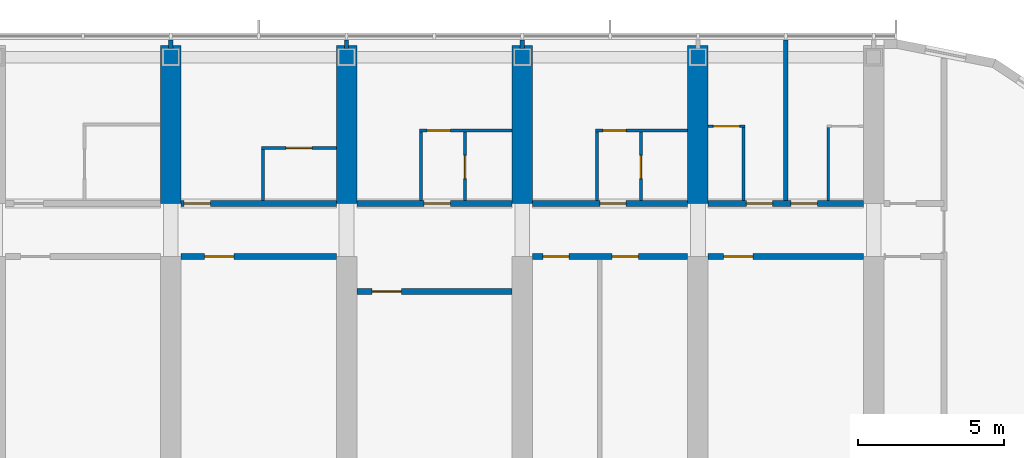
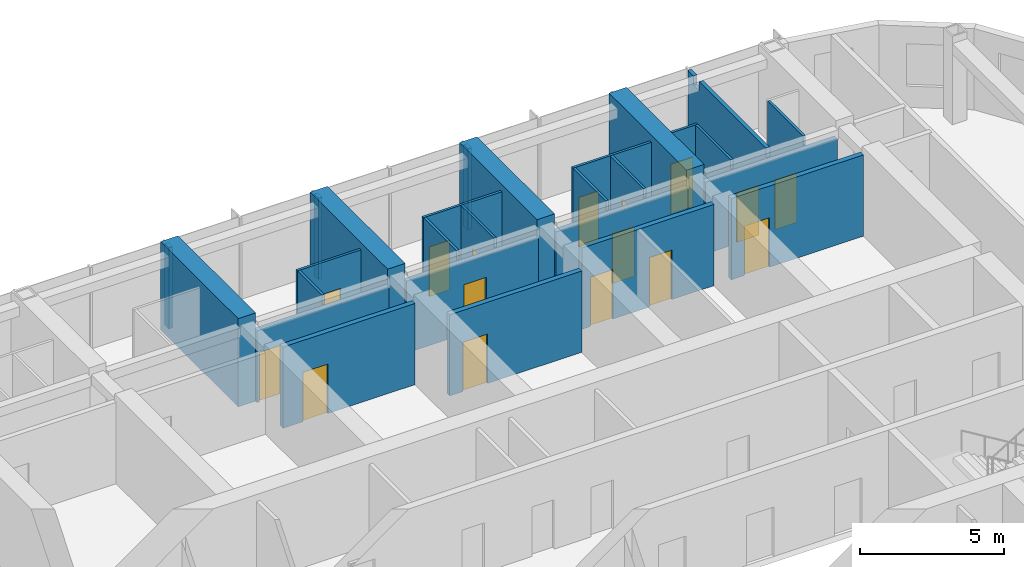
# One storey, part 17 of 23: 27 walls, 16 doors, 16 openings.
"""IFC4 building model written with IfcOpenShell, lengths in metres."""

from ifc_helpers import new_model, si_unit, direction, frame, frame_2d, origin, place, context, subcontext, project, spatial, polyline, rectangle, outline, extrude, material, layer, layer_set, type_object, element, fill, save


model = new_model("IFC4")

# Units and contexts
model_context = context("Model", 3, precision=1e-05, world=origin(), true_north=direction((0.0, 1.0)))
body_context = subcontext(model_context, "Body", "Model", "MODEL_VIEW")
ifc_project = project(units=[si_unit("LENGTHUNIT", "METRE"), si_unit("AREAUNIT", "SQUARE_METRE"), si_unit("VOLUMEUNIT", "CUBIC_METRE"), si_unit("PLANEANGLEUNIT", "RADIAN"), si_unit("MASSUNIT", "GRAM", prefix="KILO")], contexts=[model_context])

# Site, building, storey
site_placement = place(None, origin())
site = spatial("IfcSite", under=ifc_project, at=site_placement, CompositionType="ELEMENT")
building_placement = place(site_placement, origin())
building = spatial("IfcBuilding", under=site, at=building_placement, Name="Orbita Commons", CompositionType="ELEMENT")
storey_placement = place(building_placement, frame((0.0, 0.0, 254.050048828125)))
storey = spatial("IfcBuildingStorey", under=building, at=storey_placement, Name="L63", CompositionType="ELEMENT", Elevation=254.050048828125)

# Wall, opening, door
ifc_material_1 = material(Name="Concrete blockwork", Category="masonry")
ifc_layer_1 = layer(ifc_material_1, 0.199951171875)
ifc_layer_set_1 = layer_set([ifc_layer_1], Name="Concrete blockwork")
wall_type_1 = type_object("IfcWallType", Name="Corridor wall 200 blockwork", PredefinedType="SOLIDWALL", material=ifc_layer_set_1)
wall_1_placement = place(storey_placement, frame((42.35009765625, 47.39990234375, 0.0), z_axis=(0.0, 0.0, 1.0), x_axis=(1.0, 0.0, 0.0)))
wall_1 = element("IfcWall", 1, at=wall_1_placement, inside=storey, type_object=wall_type_1, Name="Corridor wall 200 blockwork L63", PredefinedType="SOLIDWALL", context=body_context, shape_type="SweptSolid", body=[
    extrude(outline(polyline([(0.0, 0.0), (5.2998046875, 0.0), (5.300048828125, 3.050048828125), (0.0, 3.050048828125), (0.0, 0.0)])), frame((0.0, 0.10009765625, 0.0), z_axis=(0.0, -1.0, 0.0), x_axis=(1.0, 0.0, 0.0)), (0.0, 0.0, 1.0), 0.199951171875),
])
opening_1_placement = place(wall_1_placement, frame((0.10009765625, 0.0, 0.0)))
opening_1 = element("IfcOpeningElement", 2, at=opening_1_placement, cuts=wall_1, Name="Opening D11", PredefinedType="OPENING", context=body_context, shape_type="SweptSolid", body=[
    extrude(rectangle(XDim=0.89990234375, YDim=2.10009765625, at=frame_2d((0.449951171875, 1.050048828125))), frame((0.0, 0.10986328125, 0.0), z_axis=(0.0, -1.0, 0.0), x_axis=(1.0, 0.0, 0.0)), (0.0, 0.0, 1.0), 0.219970703125),
])
ifc_material_2 = material(Name="Steel-faced fire door leaf", Category="steel")
door_type_1 = type_object("IfcDoorType", Name="Corridor door 20 min 900x2100", OperationType="SINGLE_SWING_LEFT", PredefinedType="DOOR", material=ifc_material_2)
door_1_placement = place(opening_1_placement, origin())
door_1 = element("IfcDoor", 3, at=door_1_placement, inside=storey, type_object=door_type_1, Name="Studio apartment with kitchenette L63-N08 door", OperationType="SINGLE_SWING_LEFT", OverallHeight=2.10009765625, OverallWidth=0.89990234375, PredefinedType="DOOR", context=body_context, shape_type="SweptSolid", body=[
    extrude(rectangle(XDim=0.89990234375, YDim=2.10009765625, at=frame_2d((0.449951171875, 1.050048828125))), frame((0.0, 0.02490234375, 0.0), z_axis=(0.0, -1.0, 0.0), x_axis=(1.0, 0.0, 0.0)), (0.0, 0.0, 1.0), 0.050048828125),
])
fill(opening_1, door_1)

wall_2_placement = place(storey_placement, frame((48.35009765625, 47.39990234375, 0.0), z_axis=(0.0, 0.0, 1.0), x_axis=(1.0, 0.0, 0.0)))
wall_2 = element("IfcWall", 4, at=wall_2_placement, inside=storey, type_object=wall_type_1, Name="Corridor wall 200 blockwork L63", PredefinedType="SOLIDWALL", context=body_context, shape_type="SweptSolid", body=[
    extrude(outline(polyline([(0.0, 0.0), (5.2998046875, 0.0), (5.300048828125, 3.050048828125), (0.0, 3.050048828125), (0.0, 0.0)])), frame((0.0, 0.10009765625, 0.0), z_axis=(0.0, -1.0, 0.0), x_axis=(1.0, 0.0, 0.0)), (0.0, 0.0, 1.0), 0.199951171875),
])
opening_2_placement = place(wall_2_placement, frame((2.300048828125, 0.0, 0.0)))
opening_2 = element("IfcOpeningElement", 5, at=opening_2_placement, cuts=wall_2, Name="Opening D11", PredefinedType="OPENING", context=body_context, shape_type="SweptSolid", body=[
    extrude(rectangle(XDim=0.89990234375, YDim=2.10009765625, at=frame_2d((0.449951171875, 1.050048828125))), frame((0.0, 0.10986328125, 0.0), z_axis=(0.0, -1.0, 0.0), x_axis=(1.0, 0.0, 0.0)), (0.0, 0.0, 1.0), 0.219970703125),
])
door_2_placement = place(opening_2_placement, origin())
door_2 = element("IfcDoor", 6, at=door_2_placement, inside=storey, type_object=door_type_1, Name="Studio flat L63-N10 entrance door", OperationType="SINGLE_SWING_LEFT", OverallHeight=2.10009765625, OverallWidth=0.89990234375, PredefinedType="DOOR", context=body_context, shape_type="SweptSolid", body=[
    extrude(rectangle(XDim=0.89990234375, YDim=2.10009765625, at=frame_2d((0.449951171875, 1.050048828125))), frame((0.0, 0.02490234375, 0.0), z_axis=(0.0, -1.0, 0.0), x_axis=(1.0, 0.0, 0.0)), (0.0, 0.0, 1.0), 0.050048828125),
])
fill(opening_2, door_2)

wall_3_placement = place(storey_placement, frame((54.35009765625, 47.39990234375, 0.0), z_axis=(0.0, 0.0, 1.0), x_axis=(1.0, 0.0, 0.0)))
wall_3 = element("IfcWall", 7, at=wall_3_placement, inside=storey, type_object=wall_type_1, Name="Corridor wall 200 blockwork L63", PredefinedType="SOLIDWALL", context=body_context, shape_type="SweptSolid", body=[
    extrude(outline(polyline([(0.0, 0.0), (5.2998046875, 0.0), (5.300048828125, 3.050048828125), (0.0, 3.050048828125), (0.0, 0.0)])), frame((0.0, 0.10009765625, 0.0), z_axis=(0.0, -1.0, 0.0), x_axis=(1.0, 0.0, 0.0)), (0.0, 0.0, 1.0), 0.199951171875),
])
opening_3_placement = place(wall_3_placement, frame((2.300048828125, 0.0, 0.0)))
opening_3 = element("IfcOpeningElement", 8, at=opening_3_placement, cuts=wall_3, Name="Opening D11", PredefinedType="OPENING", context=body_context, shape_type="SweptSolid", body=[
    extrude(rectangle(XDim=0.89990234375, YDim=2.10009765625, at=frame_2d((0.449951171875, 1.050048828125))), frame((0.0, 0.10986328125, 0.0), z_axis=(0.0, -1.0, 0.0), x_axis=(1.0, 0.0, 0.0)), (0.0, 0.0, 1.0), 0.219970703125),
])
door_3_placement = place(opening_3_placement, origin())
door_3 = element("IfcDoor", 9, at=door_3_placement, inside=storey, type_object=door_type_1, Name="Studio flat L63-N12 entrance door", OperationType="SINGLE_SWING_LEFT", OverallHeight=2.10009765625, OverallWidth=0.89990234375, PredefinedType="DOOR", context=body_context, shape_type="SweptSolid", body=[
    extrude(rectangle(XDim=0.89990234375, YDim=2.10009765625, at=frame_2d((0.449951171875, 1.050048828125))), frame((0.0, 0.02490234375, 0.0), z_axis=(0.0, -1.0, 0.0), x_axis=(1.0, 0.0, 0.0)), (0.0, 0.0, 1.0), 0.050048828125),
])
fill(opening_3, door_3)

# Wall, openings, doors
wall_4_placement = place(storey_placement, frame((60.35009765625, 47.39990234375, 0.0), z_axis=(0.0, 0.0, 1.0), x_axis=(1.0, 0.0, 0.0)))
wall_4 = element("IfcWall", 10, at=wall_4_placement, inside=storey, type_object=wall_type_1, Name="Corridor wall 200 blockwork L63", PredefinedType="SOLIDWALL", context=body_context, shape_type="SweptSolid", body=[
    extrude(outline(polyline([(0.0, 0.0), (5.2998046875, 0.0), (5.300048828125, 3.050048828125), (0.0, 3.050048828125), (0.0, 0.0)])), frame((0.0, 0.10009765625, 0.0), z_axis=(0.0, -1.0, 0.0), x_axis=(1.0, 0.0, 0.0)), (0.0, 0.0, 1.0), 0.199951171875),
])
opening_4_placement = place(wall_4_placement, frame((1.300048828125, 0.0, 0.0)))
opening_4 = element("IfcOpeningElement", 11, at=opening_4_placement, cuts=wall_4, Name="Opening D11", PredefinedType="OPENING", context=body_context, shape_type="SweptSolid", body=[
    extrude(rectangle(XDim=0.89990234375, YDim=2.10009765625, at=frame_2d((0.449951171875, 1.050048828125))), frame((0.0, 0.10986328125, 0.0), z_axis=(0.0, -1.0, 0.0), x_axis=(1.0, 0.0, 0.0)), (0.0, 0.0, 1.0), 0.219970703125),
])
opening_5_placement = place(wall_4_placement, frame((2.824951171875, 0.0, 0.0)))
opening_5 = element("IfcOpeningElement", 12, at=opening_5_placement, cuts=wall_4, Name="Opening D11", PredefinedType="OPENING", context=body_context, shape_type="SweptSolid", body=[
    extrude(rectangle(XDim=0.89990234375, YDim=2.10009765625, at=frame_2d((0.449951171875, 1.050048828125))), frame((0.0, 0.10986328125, 0.0), z_axis=(0.0, -1.0, 0.0), x_axis=(1.0, 0.0, 0.0)), (0.0, 0.0, 1.0), 0.219970703125),
])
door_4_placement = place(opening_4_placement, origin())
door_4 = element("IfcDoor", 13, at=door_4_placement, inside=storey, type_object=door_type_1, Name="Cluster bedroom L63-N14 door", OperationType="SINGLE_SWING_LEFT", OverallHeight=2.10009765625, OverallWidth=0.89990234375, PredefinedType="DOOR", context=body_context, shape_type="SweptSolid", body=[
    extrude(rectangle(XDim=0.89990234375, YDim=2.10009765625, at=frame_2d((0.449951171875, 1.050048828125))), frame((0.0, 0.02490234375, 0.0), z_axis=(0.0, -1.0, 0.0), x_axis=(1.0, 0.0, 0.0)), (0.0, 0.0, 1.0), 0.050048828125),
])
fill(opening_4, door_4)
door_5_placement = place(opening_5_placement, origin())
door_5 = element("IfcDoor", 14, at=door_5_placement, inside=storey, type_object=door_type_1, Name="Cluster bedroom L63-N15 door", OperationType="SINGLE_SWING_LEFT", OverallHeight=2.10009765625, OverallWidth=0.89990234375, PredefinedType="DOOR", context=body_context, shape_type="SweptSolid", body=[
    extrude(rectangle(XDim=0.89990234375, YDim=2.10009765625, at=frame_2d((0.449951171875, 1.050048828125))), frame((0.0, 0.02490234375, 0.0), z_axis=(0.0, -1.0, 0.0), x_axis=(1.0, 0.0, 0.0)), (0.0, 0.0, 1.0), 0.050048828125),
])
fill(opening_5, door_5)

# Wall, opening, door
ifc_material_3 = material(Name="Hollow concrete block 200", Category="concrete")
ifc_layer_2 = layer(ifc_material_3, 0.199951171875)
ifc_layer_set_2 = layer_set([ifc_layer_2], Name="Hollow concrete block 200")
wall_type_2 = type_object("IfcWallType", Name="Corridor wall 200 hollow concrete block", PredefinedType="SOLIDWALL", material=ifc_layer_set_2)
wall_5_placement = place(storey_placement, frame((42.35009765625, 45.60009765625, 0.0), z_axis=(0.0, 0.0, 1.0), x_axis=(1.0, 0.0, 0.0)))
wall_5 = element("IfcWall", 15, at=wall_5_placement, inside=storey, type_object=wall_type_2, Name="Corridor wall 200 hollow concrete block L63", PredefinedType="SOLIDWALL", context=body_context, shape_type="SweptSolid", body=[
    extrude(rectangle(XDim=5.2998046875, YDim=0.199951171875, at=frame_2d((2.64990234375, 0.0))), origin(), (0.0, 0.0, 1.0), 3.449951171875),
])
opening_6_placement = place(wall_5_placement, frame((0.800048828125, 0.0, 0.0)))
opening_6 = element("IfcOpeningElement", 16, at=opening_6_placement, cuts=wall_5, Name="Opening D06", PredefinedType="OPENING", context=body_context, shape_type="SweptSolid", body=[
    extrude(rectangle(XDim=1.0, YDim=2.10009765625, at=frame_2d((0.5, 1.050048828125))), frame((0.0, 0.10986328125, 0.0), z_axis=(0.0, -1.0, 0.0), x_axis=(1.0, 0.0, 0.0)), (0.0, 0.0, 1.0), 0.219970703125),
])
ifc_material_4 = material(Name="Steel-faced fire door leaf", Category="steel")
door_type_2 = type_object("IfcDoorType", Name="Corridor door 20 min 1000x2100", OperationType="SINGLE_SWING_LEFT", PredefinedType="DOOR", material=ifc_material_4)
door_6_placement = place(opening_6_placement, origin())
door_6 = element("IfcDoor", 17, at=door_6_placement, inside=storey, type_object=door_type_2, Name="Electrical and data room L63-BDN42 door", OperationType="SINGLE_SWING_LEFT", OverallHeight=2.10009765625, OverallWidth=1.0, PredefinedType="DOOR", context=body_context, shape_type="SweptSolid", body=[
    extrude(rectangle(XDim=1.0, YDim=2.10009765625, at=frame_2d((0.5, 1.050048828125))), frame((0.0, 0.02490234375, 0.0), z_axis=(0.0, -1.0, 0.0), x_axis=(1.0, 0.0, 0.0)), (0.0, 0.0, 1.0), 0.050048828125),
])
fill(opening_6, door_6)

# Wall, openings, doors
wall_6_placement = place(storey_placement, frame((54.35009765625, 45.60009765625, 0.0), z_axis=(0.0, 0.0, 1.0), x_axis=(1.0, 0.0, 0.0)))
wall_6 = element("IfcWall", 18, at=wall_6_placement, inside=storey, type_object=wall_type_2, Name="Corridor wall 200 hollow concrete block L63", PredefinedType="SOLIDWALL", context=body_context, shape_type="SweptSolid", body=[
    extrude(rectangle(XDim=5.2998046875, YDim=0.199951171875, at=frame_2d((2.64990234375, 0.0))), origin(), (0.0, 0.0, 1.0), 3.449951171875),
])
opening_7_placement = place(wall_6_placement, frame((0.35009765625, 0.0, 0.0)))
opening_7 = element("IfcOpeningElement", 19, at=opening_7_placement, cuts=wall_6, Name="Opening D11", PredefinedType="OPENING", context=body_context, shape_type="SweptSolid", body=[
    extrude(rectangle(XDim=0.89990234375, YDim=2.10009765625, at=frame_2d((0.449951171875, 1.050048828125))), frame((0.0, 0.10986328125, 0.0), z_axis=(0.0, -1.0, 0.0), x_axis=(1.0, 0.0, 0.0)), (0.0, 0.0, 1.0), 0.219970703125),
])
opening_8_placement = place(wall_6_placement, frame((2.715087890625, 0.0, 0.0)))
opening_8 = element("IfcOpeningElement", 20, at=opening_8_placement, cuts=wall_6, Name="Opening D11", PredefinedType="OPENING", context=body_context, shape_type="SweptSolid", body=[
    extrude(rectangle(XDim=0.89990234375, YDim=2.10009765625, at=frame_2d((0.449951171875, 1.050048828125))), frame((0.0, 0.10986328125, 0.0), z_axis=(0.0, -1.0, 0.0), x_axis=(1.0, 0.0, 0.0)), (0.0, 0.0, 1.0), 0.219970703125),
])
door_7_placement = place(opening_7_placement, origin())
door_7 = element("IfcDoor", 21, at=door_7_placement, inside=storey, type_object=door_type_1, Name="Battery and UPS room L63-BDN54n door", OperationType="SINGLE_SWING_LEFT", OverallHeight=2.10009765625, OverallWidth=0.89990234375, PredefinedType="DOOR", context=body_context, shape_type="SweptSolid", body=[
    extrude(rectangle(XDim=0.89990234375, YDim=2.10009765625, at=frame_2d((0.449951171875, 1.050048828125))), frame((0.0, 0.02490234375, 0.0), z_axis=(0.0, -1.0, 0.0), x_axis=(1.0, 0.0, 0.0)), (0.0, 0.0, 1.0), 0.050048828125),
])
fill(opening_7, door_7)
door_8_placement = place(opening_8_placement, origin())
door_8 = element("IfcDoor", 22, at=door_8_placement, inside=storey, type_object=door_type_1, Name="Refuse and recycling room L63-BDN54 door", OperationType="SINGLE_SWING_LEFT", OverallHeight=2.10009765625, OverallWidth=0.89990234375, PredefinedType="DOOR", context=body_context, shape_type="SweptSolid", body=[
    extrude(rectangle(XDim=0.89990234375, YDim=2.10009765625, at=frame_2d((0.449951171875, 1.050048828125))), frame((0.0, 0.02490234375, 0.0), z_axis=(0.0, -1.0, 0.0), x_axis=(1.0, 0.0, 0.0)), (0.0, 0.0, 1.0), 0.050048828125),
])
fill(opening_8, door_8)

# Wall, opening, door
wall_7_placement = place(storey_placement, frame((60.35009765625, 45.60009765625, 0.0), z_axis=(0.0, 0.0, 1.0), x_axis=(1.0, 0.0, 0.0)))
wall_7 = element("IfcWall", 23, at=wall_7_placement, inside=storey, type_object=wall_type_2, Name="Corridor wall 200 hollow concrete block L63", PredefinedType="SOLIDWALL", context=body_context, shape_type="SweptSolid", body=[
    extrude(rectangle(XDim=5.2998046875, YDim=0.199951171875, at=frame_2d((2.64990234375, 0.0))), origin(), (0.0, 0.0, 1.0), 3.449951171875),
])
opening_9_placement = place(wall_7_placement, frame((0.52490234375, 0.0, 0.0)))
opening_9 = element("IfcOpeningElement", 24, at=opening_9_placement, cuts=wall_7, Name="Opening D06", PredefinedType="OPENING", context=body_context, shape_type="SweptSolid", body=[
    extrude(rectangle(XDim=1.0, YDim=2.10009765625, at=frame_2d((0.5, 1.050048828125))), frame((0.0, 0.10986328125, 0.0), z_axis=(0.0, -1.0, 0.0), x_axis=(1.0, 0.0, 0.0)), (0.0, 0.0, 1.0), 0.219970703125),
])
door_9_placement = place(opening_9_placement, origin())
door_9 = element("IfcDoor", 25, at=door_9_placement, inside=storey, type_object=door_type_2, Name="Store L63-BDN60 door", OperationType="SINGLE_SWING_LEFT", OverallHeight=2.10009765625, OverallWidth=1.0, PredefinedType="DOOR", context=body_context, shape_type="SweptSolid", body=[
    extrude(rectangle(XDim=1.0, YDim=2.10009765625, at=frame_2d((0.5, 1.050048828125))), frame((0.0, 0.02490234375, 0.0), z_axis=(0.0, -1.0, 0.0), x_axis=(1.0, 0.0, 0.0)), (0.0, 0.0, 1.0), 0.050048828125),
])
fill(opening_9, door_9)

wall_8_placement = place(storey_placement, frame((48.35009765625, 44.39990234375, 0.0), z_axis=(0.0, 0.0, 1.0), x_axis=(1.0, 0.0, 0.0)))
wall_8 = element("IfcWall", 26, at=wall_8_placement, inside=storey, type_object=wall_type_2, Name="Corridor wall 200 hollow concrete block L63", PredefinedType="SOLIDWALL", context=body_context, shape_type="SweptSolid", body=[
    extrude(rectangle(XDim=5.2998046875, YDim=0.199951171875, at=frame_2d((2.64990234375, 0.0))), origin(), (0.0, 0.0, 1.0), 3.449951171875),
])
opening_10_placement = place(wall_8_placement, frame((0.52490234375, 0.0, 0.0)))
opening_10 = element("IfcOpeningElement", 27, at=opening_10_placement, cuts=wall_8, Name="Opening D06", PredefinedType="OPENING", context=body_context, shape_type="SweptSolid", body=[
    extrude(rectangle(XDim=1.0, YDim=2.10009765625, at=frame_2d((0.5, 1.050048828125))), frame((0.0, 0.10986328125, 0.0), z_axis=(0.0, -1.0, 0.0), x_axis=(1.0, 0.0, 0.0)), (0.0, 0.0, 1.0), 0.219970703125),
])
door_10_placement = place(opening_10_placement, origin())
door_10 = element("IfcDoor", 28, at=door_10_placement, inside=storey, type_object=door_type_2, Name="Ventilation plant room north L63-BDN48 door", OperationType="SINGLE_SWING_LEFT", OverallHeight=2.10009765625, OverallWidth=1.0, PredefinedType="DOOR", context=body_context, shape_type="SweptSolid", body=[
    extrude(rectangle(XDim=1.0, YDim=2.10009765625, at=frame_2d((0.5, 1.050048828125))), frame((0.0, 0.02490234375, 0.0), z_axis=(0.0, -1.0, 0.0), x_axis=(1.0, 0.0, 0.0)), (0.0, 0.0, 1.0), 0.050048828125),
])
fill(opening_10, door_10)

# Walls
ifc_material_5 = material(Name="Concrete C50/60", Category="concrete")
ifc_layer_3 = layer(ifc_material_5, 0.699951171875)
ifc_layer_set_3 = layer_set([ifc_layer_3], Name="Concrete C50/60")
wall_type_3 = type_object("IfcWallType", Name="Cross wall 700 C50/60", PredefinedType="SHEAR", material=ifc_layer_set_3)
for number, where, z_axis, x_axis, name in (
    (29, (42.0, 47.39990234375, 0.0), (0.0, 0.0, 1.0), (0.0, 1.0, 0.0), "Cross wall 8 north outer L63"),
    (30, (48.0, 47.39990234375, 0.0), (0.0, 0.0, 1.0), (0.0, 1.0, 0.0), "Cross wall 9 north outer L63"),
    (31, (54.0, 47.39990234375, 0.0), (0.0, 0.0, 1.0), (0.0, 1.0, 0.0), "Cross wall 10 north outer L63"),
    (32, (60.0, 47.39990234375, 0.0), (0.0, 0.0, 1.0), (0.0, 1.0, 0.0), "Cross wall 11 north outer L63"),
):
    element("IfcWall", number, at=place(storey_placement, frame(where, z_axis=z_axis, x_axis=x_axis)), inside=storey, type_object=wall_type_3, Name=name, PredefinedType="SHEAR", context=body_context, shape_type="SweptSolid", body=[
        extrude(rectangle(XDim=5.400146484375, YDim=0.699951171875, at=frame_2d((2.7001953125, 0.0))), origin(), (0.0, 0.0, 1.0), 3.75),
    ])

# Wall, opening, door
ifc_material_6 = material(Name="Moisture-resistant plasterboard on steel studs", Category="steel")
ifc_layer_4 = layer(ifc_material_6, 0.10009765625)
ifc_layer_set_4 = layer_set([ifc_layer_4], Name="Moisture-resistant plasterboard on steel studs")
wall_type_4 = type_object("IfcWallType", Name="En-suite partition 100", PredefinedType="PARTITIONING", material=ifc_layer_set_4)
wall_9_placement = place(storey_placement, frame((45.10009765625, 49.300048828125, 0.0), z_axis=(0.0, 0.0, 1.0), x_axis=(1.0, 0.0, 0.0)))
wall_9 = element("IfcWall", 33, at=wall_9_placement, inside=storey, type_object=wall_type_4, Name="En-suite partition 100 L63", PredefinedType="PARTITIONING", context=body_context, shape_type="SweptSolid", body=[
    extrude(rectangle(XDim=2.5498046875, YDim=0.10009765625, at=frame_2d((1.27490234375, 0.0))), origin(), (0.0, 0.0, 1.0), 3.449951171875),
])
opening_11_placement = place(wall_9_placement, frame((0.824951171875, 0.0, 0.0)))
opening_11 = element("IfcOpeningElement", 34, at=opening_11_placement, cuts=wall_9, Name="Opening D09", PredefinedType="OPENING", context=body_context, shape_type="SweptSolid", body=[
    extrude(rectangle(XDim=0.89990234375, YDim=2.10009765625, at=frame_2d((0.449951171875, 1.050048828125))), frame((0.0, 0.06005859375, 0.0), z_axis=(0.0, -1.0, 0.0), x_axis=(1.0, 0.0, 0.0)), (0.0, 0.0, 1.0), 0.1201171875),
])
ifc_material_7 = material(Name="Laminated timber door leaf", Category="wood")
door_type_3 = type_object("IfcDoorType", Name="En-suite door 900x2100", OperationType="SINGLE_SWING_RIGHT", PredefinedType="DOOR", material=ifc_material_7)
door_11_placement = place(opening_11_placement, origin())
door_11 = element("IfcDoor", 35, at=door_11_placement, inside=storey, type_object=door_type_3, Name="En-suite L63-N08 door", OperationType="SINGLE_SWING_RIGHT", OverallHeight=2.10009765625, OverallWidth=0.89990234375, PredefinedType="DOOR", context=body_context, shape_type="SweptSolid", body=[
    extrude(rectangle(XDim=0.89990234375, YDim=2.10009765625, at=frame_2d((0.449951171875, 1.050048828125))), frame((0.0, 0.02490234375, 0.0), z_axis=(0.0, -1.0, 0.0), x_axis=(1.0, 0.0, 0.0)), (0.0, 0.0, 1.0), 0.050048828125),
])
fill(opening_11, door_11)

# Wall
wall_10_placement = place(storey_placement, frame((45.14990234375, 49.25, 0.0), z_axis=(0.0, 0.0, 1.0), x_axis=(0.0, -1.0, 0.0)))
element("IfcWall", 36, at=wall_10_placement, inside=storey, type_object=wall_type_4, Name="En-suite partition 100 L63", PredefinedType="PARTITIONING", context=body_context, shape_type="SweptSolid", body=[
    extrude(outline(polyline([(0.0, 0.0), (1.75, 0.0), (1.75, 3.050048828125), (1.701904296875, 3.050048828125), (1.699951171875, 3.449951171875), (0.0, 3.449951171875), (0.0, 0.0)])), frame((0.0, 0.050048828125, 0.0), z_axis=(0.0, -1.0, 0.0), x_axis=(1.0, 0.0, 0.0)), (0.0, 0.0, 1.0), 0.10009765625),
])

# Wall, opening, door
wall_11_placement = place(storey_placement, frame((50.5, 49.89990234375, 0.0), z_axis=(0.0, 0.0, 1.0), x_axis=(1.0, 0.0, 0.0)))
wall_11 = element("IfcWall", 37, at=wall_11_placement, inside=storey, type_object=wall_type_4, Name="En-suite partition 100 L63", PredefinedType="PARTITIONING", context=body_context, shape_type="SweptSolid", body=[
    extrude(rectangle(XDim=3.14990234375, YDim=0.10009765625, at=frame_2d((1.574951171875, 0.0))), origin(), (0.0, 0.0, 1.0), 3.449951171875),
])
opening_12_placement = place(wall_11_placement, frame((0.25, 0.0, 0.0)))
opening_12 = element("IfcOpeningElement", 38, at=opening_12_placement, cuts=wall_11, Name="Opening D16", PredefinedType="OPENING", context=body_context, shape_type="SweptSolid", body=[
    extrude(rectangle(XDim=0.800048828125, YDim=2.10009765625, at=frame_2d((0.39990234375, 1.050048828125))), frame((0.0, 0.06005859375, 0.0), z_axis=(0.0, -1.0, 0.0), x_axis=(1.0, 0.0, 0.0)), (0.0, 0.0, 1.0), 0.1201171875),
])
ifc_material_8 = material(Name="Laminated timber door leaf", Category="wood")
door_type_4 = type_object("IfcDoorType", Name="En-suite door 800x2100", OperationType="SINGLE_SWING_RIGHT", PredefinedType="DOOR", material=ifc_material_8)
door_12_placement = place(opening_12_placement, origin())
door_12 = element("IfcDoor", 39, at=door_12_placement, inside=storey, type_object=door_type_4, Name="Studio flat L63-N10 door", OperationType="SINGLE_SWING_RIGHT", OverallHeight=2.10009765625, OverallWidth=0.800048828125, PredefinedType="DOOR", context=body_context, shape_type="SweptSolid", body=[
    extrude(rectangle(XDim=0.800048828125, YDim=2.10009765625, at=frame_2d((0.39990234375, 1.050048828125))), frame((0.0, 0.02490234375, 0.0), z_axis=(0.0, -1.0, 0.0), x_axis=(1.0, 0.0, 0.0)), (0.0, 0.0, 1.0), 0.050048828125),
])
fill(opening_12, door_12)

# Wall
wall_12_placement = place(storey_placement, frame((50.550048828125, 49.85009765625, 0.0), z_axis=(0.0, 0.0, 1.0), x_axis=(0.0, -1.0, 0.0)))
element("IfcWall", 40, at=wall_12_placement, inside=storey, type_object=wall_type_4, Name="En-suite partition 100 L63", PredefinedType="PARTITIONING", context=body_context, shape_type="SweptSolid", body=[
    extrude(outline(polyline([(0.0, 0.0), (2.35009765625, 0.0), (2.35009765625, 3.050048828125), (2.302001953125, 3.050048828125), (2.300048828125, 3.449951171875), (0.0, 3.449951171875), (0.0, 0.0)])), frame((0.0, 0.050048828125, 0.0), z_axis=(0.0, -1.0, 0.0), x_axis=(1.0, 0.0, 0.0)), (0.0, 0.0, 1.0), 0.10009765625),
])

# Wall, opening, door
wall_13_placement = place(storey_placement, frame((52.050048828125, 49.85009765625, 0.0), z_axis=(0.0, 0.0, 1.0), x_axis=(0.0, -1.0, 0.0)))
wall_13 = element("IfcWall", 41, at=wall_13_placement, inside=storey, type_object=wall_type_4, Name="En-suite partition 100 L63", PredefinedType="PARTITIONING", context=body_context, shape_type="SweptSolid", body=[
    extrude(outline(polyline([(0.0, 0.0), (2.35009765625, 0.0), (2.35009765625, 3.050048828125), (2.302001953125, 3.050048828125), (2.300048828125, 3.449951171875), (0.0, 3.449951171875), (0.0, 0.0)])), frame((0.0, 0.050048828125, 0.0), z_axis=(0.0, -1.0, 0.0), x_axis=(1.0, 0.0, 0.0)), (0.0, 0.0, 1.0), 0.10009765625),
])
opening_13_placement = place(wall_13_placement, frame((0.800048828125, 0.0, 0.0)))
opening_13 = element("IfcOpeningElement", 42, at=opening_13_placement, cuts=wall_13, Name="Opening D16", PredefinedType="OPENING", context=body_context, shape_type="SweptSolid", body=[
    extrude(rectangle(XDim=0.800048828125, YDim=2.10009765625, at=frame_2d((0.39990234375, 1.050048828125))), frame((0.0, 0.06005859375, 0.0), z_axis=(0.0, -1.0, 0.0), x_axis=(1.0, 0.0, 0.0)), (0.0, 0.0, 1.0), 0.1201171875),
])
door_13_placement = place(opening_13_placement, origin())
door_13 = element("IfcDoor", 43, at=door_13_placement, inside=storey, type_object=door_type_4, Name="Studio flat shower room L63-N10 door", OperationType="SINGLE_SWING_RIGHT", OverallHeight=2.10009765625, OverallWidth=0.800048828125, PredefinedType="DOOR", context=body_context, shape_type="SweptSolid", body=[
    extrude(rectangle(XDim=0.800048828125, YDim=2.10009765625, at=frame_2d((0.39990234375, 1.050048828125))), frame((0.0, 0.02490234375, 0.0), z_axis=(0.0, -1.0, 0.0), x_axis=(1.0, 0.0, 0.0)), (0.0, 0.0, 1.0), 0.050048828125),
])
fill(opening_13, door_13)

wall_14_placement = place(storey_placement, frame((56.5, 49.89990234375, 0.0), z_axis=(0.0, 0.0, 1.0), x_axis=(1.0, 0.0, 0.0)))
wall_14 = element("IfcWall", 44, at=wall_14_placement, inside=storey, type_object=wall_type_4, Name="En-suite partition 100 L63", PredefinedType="PARTITIONING", context=body_context, shape_type="SweptSolid", body=[
    extrude(rectangle(XDim=3.14990234375, YDim=0.10009765625, at=frame_2d((1.574951171875, 0.0))), origin(), (0.0, 0.0, 1.0), 3.449951171875),
])
opening_14_placement = place(wall_14_placement, frame((0.25, 0.0, 0.0)))
opening_14 = element("IfcOpeningElement", 45, at=opening_14_placement, cuts=wall_14, Name="Opening D16", PredefinedType="OPENING", context=body_context, shape_type="SweptSolid", body=[
    extrude(rectangle(XDim=0.800048828125, YDim=2.10009765625, at=frame_2d((0.39990234375, 1.050048828125))), frame((0.0, 0.06005859375, 0.0), z_axis=(0.0, -1.0, 0.0), x_axis=(1.0, 0.0, 0.0)), (0.0, 0.0, 1.0), 0.1201171875),
])
door_14_placement = place(opening_14_placement, origin())
door_14 = element("IfcDoor", 46, at=door_14_placement, inside=storey, type_object=door_type_4, Name="Studio flat L63-N12 door", OperationType="SINGLE_SWING_RIGHT", OverallHeight=2.10009765625, OverallWidth=0.800048828125, PredefinedType="DOOR", context=body_context, shape_type="SweptSolid", body=[
    extrude(rectangle(XDim=0.800048828125, YDim=2.10009765625, at=frame_2d((0.39990234375, 1.050048828125))), frame((0.0, 0.02490234375, 0.0), z_axis=(0.0, -1.0, 0.0), x_axis=(1.0, 0.0, 0.0)), (0.0, 0.0, 1.0), 0.050048828125),
])
fill(opening_14, door_14)

# Wall
wall_15_placement = place(storey_placement, frame((56.550048828125, 49.85009765625, 0.0), z_axis=(0.0, 0.0, 1.0), x_axis=(0.0, -1.0, 0.0)))
element("IfcWall", 47, at=wall_15_placement, inside=storey, type_object=wall_type_4, Name="En-suite partition 100 L63", PredefinedType="PARTITIONING", context=body_context, shape_type="SweptSolid", body=[
    extrude(outline(polyline([(0.0, 0.0), (2.35009765625, 0.0), (2.35009765625, 3.050048828125), (2.302001953125, 3.050048828125), (2.300048828125, 3.449951171875), (0.0, 3.449951171875), (0.0, 0.0)])), frame((0.0, 0.050048828125, 0.0), z_axis=(0.0, -1.0, 0.0), x_axis=(1.0, 0.0, 0.0)), (0.0, 0.0, 1.0), 0.10009765625),
])

# Wall, opening, door
wall_16_placement = place(storey_placement, frame((58.050048828125, 49.85009765625, 0.0), z_axis=(0.0, 0.0, 1.0), x_axis=(0.0, -1.0, 0.0)))
wall_16 = element("IfcWall", 48, at=wall_16_placement, inside=storey, type_object=wall_type_4, Name="En-suite partition 100 L63", PredefinedType="PARTITIONING", context=body_context, shape_type="SweptSolid", body=[
    extrude(outline(polyline([(0.0, 0.0), (2.35009765625, 0.0), (2.35009765625, 3.050048828125), (2.302001953125, 3.050048828125), (2.300048828125, 3.449951171875), (0.0, 3.449951171875), (0.0, 0.0)])), frame((0.0, 0.050048828125, 0.0), z_axis=(0.0, -1.0, 0.0), x_axis=(1.0, 0.0, 0.0)), (0.0, 0.0, 1.0), 0.10009765625),
])
opening_15_placement = place(wall_16_placement, frame((0.800048828125, 0.0, 0.0)))
opening_15 = element("IfcOpeningElement", 49, at=opening_15_placement, cuts=wall_16, Name="Opening D16", PredefinedType="OPENING", context=body_context, shape_type="SweptSolid", body=[
    extrude(rectangle(XDim=0.800048828125, YDim=2.10009765625, at=frame_2d((0.39990234375, 1.050048828125))), frame((0.0, 0.06005859375, 0.0), z_axis=(0.0, -1.0, 0.0), x_axis=(1.0, 0.0, 0.0)), (0.0, 0.0, 1.0), 0.1201171875),
])
door_15_placement = place(opening_15_placement, origin())
door_15 = element("IfcDoor", 50, at=door_15_placement, inside=storey, type_object=door_type_4, Name="Studio flat shower room L63-N12 door", OperationType="SINGLE_SWING_RIGHT", OverallHeight=2.10009765625, OverallWidth=0.800048828125, PredefinedType="DOOR", context=body_context, shape_type="SweptSolid", body=[
    extrude(rectangle(XDim=0.800048828125, YDim=2.10009765625, at=frame_2d((0.39990234375, 1.050048828125))), frame((0.0, 0.02490234375, 0.0), z_axis=(0.0, -1.0, 0.0), x_axis=(1.0, 0.0, 0.0)), (0.0, 0.0, 1.0), 0.050048828125),
])
fill(opening_15, door_15)

wall_17_placement = place(storey_placement, frame((60.35009765625, 50.041748046875, 0.0), z_axis=(0.0, 0.0, 1.0), x_axis=(1.0, 0.0, 0.0)))
wall_17 = element("IfcWall", 51, at=wall_17_placement, inside=storey, type_object=wall_type_4, Name="En-suite partition 100 L63", PredefinedType="PARTITIONING", context=body_context, shape_type="SweptSolid", body=[
    extrude(rectangle(XDim=1.25, YDim=0.10009765625, at=frame_2d((0.625, 0.0))), origin(), (0.0, 0.0, 1.0), 3.449951171875),
])
opening_16_placement = place(wall_17_placement, frame((0.175048828125, 0.0, 0.0)))
opening_16 = element("IfcOpeningElement", 52, at=opening_16_placement, cuts=wall_17, Name="Opening D09", PredefinedType="OPENING", context=body_context, shape_type="SweptSolid", body=[
    extrude(rectangle(XDim=0.89990234375, YDim=2.10009765625, at=frame_2d((0.449951171875, 1.050048828125))), frame((0.0, 0.06005859375, 0.0), z_axis=(0.0, -1.0, 0.0), x_axis=(1.0, 0.0, 0.0)), (0.0, 0.0, 1.0), 0.1201171875),
])
door_16_placement = place(opening_16_placement, origin())
door_16 = element("IfcDoor", 53, at=door_16_placement, inside=storey, type_object=door_type_3, Name="En-suite L63-N14 door", OperationType="SINGLE_SWING_RIGHT", OverallHeight=2.10009765625, OverallWidth=0.89990234375, PredefinedType="DOOR", context=body_context, shape_type="SweptSolid", body=[
    extrude(rectangle(XDim=0.89990234375, YDim=2.10009765625, at=frame_2d((0.449951171875, 1.050048828125))), frame((0.0, 0.02490234375, 0.0), z_axis=(0.0, -1.0, 0.0), x_axis=(1.0, 0.0, 0.0)), (0.0, 0.0, 1.0), 0.050048828125),
])
fill(opening_16, door_16)

# Walls
for number, where, z_axis, x_axis, name in (
    (54, (61.550048828125, 49.99169921875, 0.0), (0.0, 0.0, 1.0), (0.0, -1.0, 0.0), "En-suite partition 100 L63"),
    (55, (64.449951171875, 49.99169921875, 0.0), (0.0, 0.0, 1.0), (0.0, -1.0, 0.0), "En-suite partition 100 L63"),
):
    element("IfcWall", number, at=place(storey_placement, frame(where, z_axis=z_axis, x_axis=x_axis)), inside=storey, type_object=wall_type_4, Name=name, PredefinedType="PARTITIONING", context=body_context, shape_type="SweptSolid", body=[
        extrude(outline(polyline([(0.0, 0.0), (2.49169921875, 0.0), (2.49169921875, 3.050048828125), (2.443603515625, 3.050048828125), (2.441650390625, 3.449951171875), (0.0, 3.449951171875), (0.0, 0.0)])), frame((0.0, 0.050048828125, 0.0), z_axis=(0.0, -1.0, 0.0), x_axis=(1.0, 0.0, 0.0)), (0.0, 0.0, 1.0), 0.10009765625),
    ])
ifc_material_9 = material(Name="Gypsum plasterboard on steel studs", Category="steel")
ifc_layer_5 = layer(ifc_material_9, 0.14990234375)
ifc_layer_set_5 = layer_set([ifc_layer_5], Name="Gypsum plasterboard on steel studs")
wall_type_5 = type_object("IfcWallType", Name="Partition 150 plasterboard", PredefinedType="PARTITIONING", material=ifc_layer_set_5)
for number, where, z_axis, x_axis, name in (
    (56, (42.0, 52.699951171875, 0.0), (0.0, 0.0, 1.0), (0.0, 1.0, 0.0), "Partition 150 plasterboard L63"),
    (57, (48.0, 52.699951171875, 0.0), (0.0, 0.0, 1.0), (0.0, 1.0, 0.0), "Partition 150 plasterboard L63"),
    (58, (54.0, 52.699951171875, 0.0), (0.0, 0.0, 1.0), (0.0, 1.0, 0.0), "Partition 150 plasterboard L63"),
):
    element("IfcWall", number, at=place(storey_placement, frame(where, z_axis=z_axis, x_axis=x_axis)), inside=storey, type_object=wall_type_5, Name=name, PredefinedType="PARTITIONING", context=body_context, shape_type="SweptSolid", body=[
        extrude(rectangle(XDim=0.2900390625, YDim=0.14990234375, at=frame_2d((0.14501953125, 0.0))), origin(), (0.0, 0.0, 1.0), 3.449951171875),
    ])
ifc_material_10 = material(Name="Gypsum plasterboard on steel studs", Category="steel")
ifc_layer_6 = layer(ifc_material_10, 0.14990234375)
ifc_layer_set_6 = layer_set([ifc_layer_6], Name="Gypsum plasterboard on steel studs")
wall_type_6 = type_object("IfcWallType", Name="Party wall 150 plasterboard", PredefinedType="PARTITIONING", material=ifc_layer_set_6)
wall_18_placement = place(storey_placement, frame((63.0, 52.989990234375, 0.0), z_axis=(0.0, 0.0, 1.0), x_axis=(0.0, -1.0, 0.0)))
element("IfcWall", 59, at=wall_18_placement, inside=storey, type_object=wall_type_6, Name="Party wall 150 plasterboard L63", PredefinedType="PARTITIONING", context=body_context, shape_type="SweptSolid", body=[
    extrude(outline(polyline([(0.0, 0.0), (5.489990234375, 0.0), (5.489990234375, 3.050048828125), (5.44189453125, 3.050048828125), (5.43994140625, 3.449951171875), (0.7919921875, 3.449951171875), (0.7900390625, 3.050048828125), (0.39208984375, 3.050048828125), (0.389892578125, 3.449951171875), (0.0, 3.449951171875), (0.0, 0.0)])), frame((0.0, 0.074951171875, 0.0), z_axis=(0.0, -1.0, 0.0), x_axis=(1.0, 0.0, 0.0)), (0.0, 0.0, 1.0), 0.14990234375),
])

save(model, "model.ifc")
